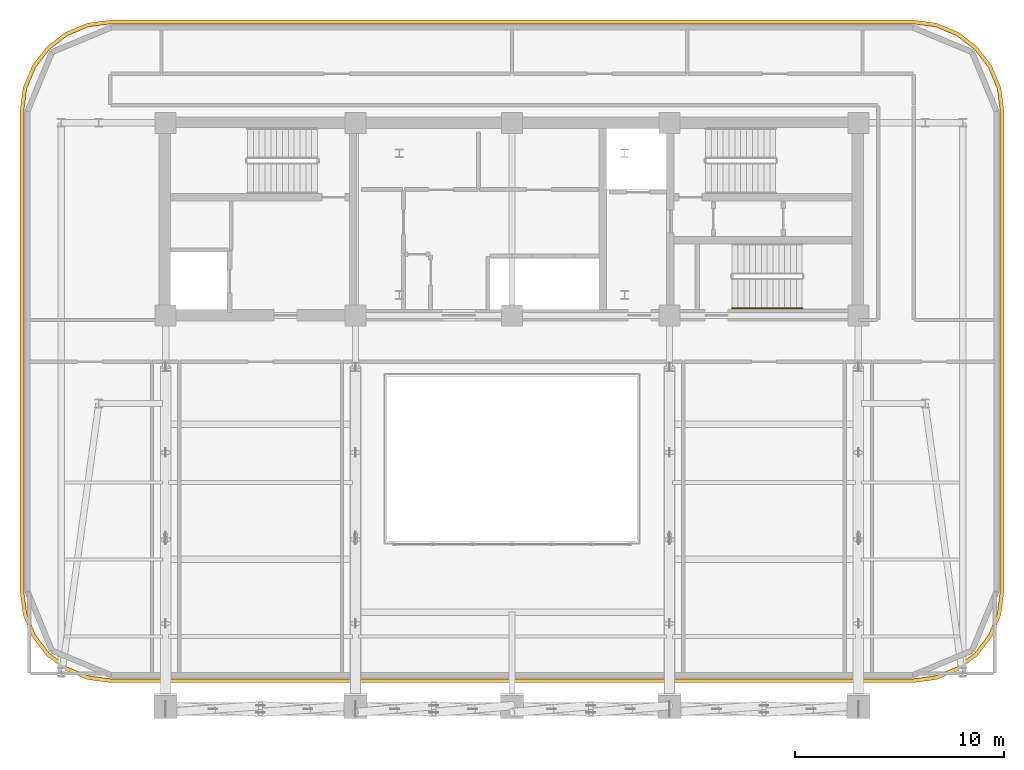
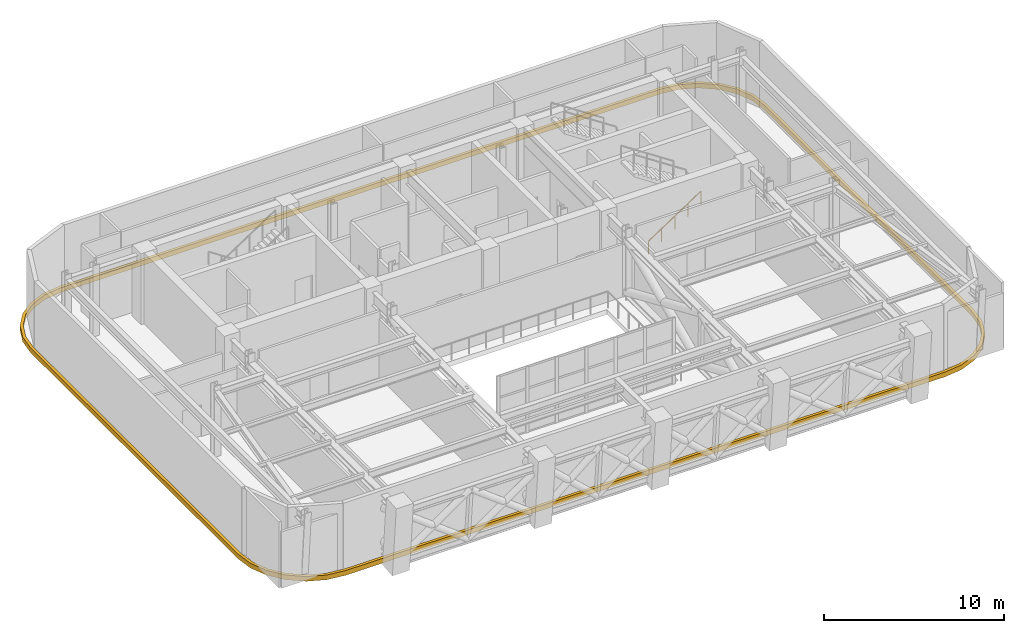
# One storey, part 11 of 12: 1 covering, 1 railing.
"""IFC4 building model written with IfcOpenShell, lengths in metres."""

from ifc_helpers import new_model, si_unit, direction, frame, origin, origin_2d, place, context, subcontext, project, spatial, polyline, rectangle, outline, extrude, material, type_object, element, save


model = new_model("IFC4")

# Units and contexts
model_context = context("Model", 3, precision=1e-05, world=origin(), true_north=direction((0.0, 1.0)))
body_context = subcontext(model_context, "Body", "Model", "MODEL_VIEW")
ifc_project = project(units=[si_unit("LENGTHUNIT", "METRE"), si_unit("AREAUNIT", "SQUARE_METRE"), si_unit("VOLUMEUNIT", "CUBIC_METRE"), si_unit("PLANEANGLEUNIT", "RADIAN"), si_unit("MASSUNIT", "GRAM", prefix="KILO")], contexts=[model_context])

# Site, building, storey
site_placement = place(None, origin())
site = spatial("IfcSite", under=ifc_project, at=site_placement, CompositionType="ELEMENT")
building_placement = place(site_placement, origin())
building = spatial("IfcBuilding", under=site, at=building_placement, Name="Zarnavel Station Tower", CompositionType="ELEMENT")
storey_placement = place(building_placement, frame((0.0, 0.0, 188.39990234375)))
storey = spatial("IfcBuildingStorey", under=building, at=storey_placement, Name="L51", CompositionType="ELEMENT", Elevation=188.39990234375)

# Covering
ifc_material_1 = material(Name="Precast concrete C45/55 (Pale Travertine Slab Band)", Category="masonry")
covering_type = type_object("IfcCoveringType", Name="COV_TRAVERTINE_BAND", PredefinedType="CLADDING", material=ifc_material_1)
covering_placement = place(storey_placement, frame((0.0, 0.0, -0.260009765625)))
element("IfcCovering", 1, at=covering_placement, inside=storey, type_object=covering_type, Name="L51 Pale Travertine Slab-Edge Band", PredefinedType="CLADDING", context=body_context, shape_type="SweptSolid", body=[
    extrude(outline(polyline([(48.0, 10.219970703125), (49.133544921875, 10.369140625), (50.18994140625, 10.806884765625), (51.09716796875, 11.5029296875), (51.793212890625, 12.409912109375), (52.230712890625, 13.46630859375), (52.3798828125, 14.60009765625), (52.3798828125, 37.60009765625), (52.230712890625, 38.733642578125), (51.793212890625, 39.7900390625), (51.09716796875, 40.697021484375), (50.18994140625, 41.393310546875), (49.133544921875, 41.830810546875), (48.0, 41.97998046875), (9.60009765625, 41.97998046875), (8.46630859375, 41.830810546875), (7.409912109375, 41.393310546875), (6.5029296875, 40.697021484375), (5.806884765625, 39.7900390625), (5.369140625, 38.733642578125), (5.219970703125, 37.60009765625), (5.219970703125, 14.60009765625), (5.369140625, 13.46630859375), (5.806884765625, 12.409912109375), (6.5029296875, 11.5029296875), (7.409912109375, 10.806884765625), (8.46630859375, 10.369140625), (9.60009765625, 10.219970703125), (48.0, 10.219970703125)]), holes=[polyline([(48.0, 10.39990234375), (49.0869140625, 10.543212890625), (50.10009765625, 10.962646484375), (50.9697265625, 11.630126953125), (51.63720703125, 12.5), (52.056884765625, 13.512939453125), (52.199951171875, 14.60009765625), (52.199951171875, 37.60009765625), (52.056884765625, 38.68701171875), (51.63720703125, 39.699951171875), (50.9697265625, 40.56982421875), (50.10009765625, 41.2373046875), (49.0869140625, 41.656982421875), (48.0, 41.800048828125), (9.60009765625, 41.800048828125), (8.512939453125, 41.656982421875), (7.5, 41.2373046875), (6.630126953125, 40.56982421875), (5.962646484375, 39.699951171875), (5.543212890625, 38.68701171875), (5.39990234375, 37.60009765625), (5.39990234375, 14.60009765625), (5.543212890625, 13.512939453125), (5.962646484375, 12.5), (6.630126953125, 11.630126953125), (7.5, 10.962646484375), (8.512939453125, 10.543212890625), (9.60009765625, 10.39990234375), (48.0, 10.39990234375)])]), origin(), (0.0, 0.0, 1.0), 0.320068359375),
])

# Railing
ifc_material_2 = material(Name="Brushed Stainless Steel S355J2 Handrail", Category="steel")
railing_type = type_object("IfcRailingType", Name="HR_STAIR_900", PredefinedType="HANDRAIL", material=ifc_material_2)
railing_placement = place(storey_placement, frame((39.35009765625, 28.169921875, 0.184814453125)))
element("IfcRailing", 2, at=railing_placement, inside=storey, type_object=railing_type, Name="L51 ST3 stair handrail 1", PredefinedType="HANDRAIL", context=body_context, shape_type="SweptSolid", body=[
    extrude(rectangle(XDim=0.048095703125, YDim=0.048095703125, at=origin_2d()), frame((0.001708984375, 0.0, 0.876953125), z_axis=(0.834858096282, 0.0, 0.550465220583), x_axis=(0.0, 1.0, 0.0)), (0.0, 0.0, 1.0), 4.0205078125),
    extrude(rectangle(XDim=0.0419921875, YDim=0.0419921875, at=origin_2d()), origin(), (0.0, 0.0, 1.0), 0.851806640625),
    extrude(rectangle(XDim=0.0419921875, YDim=0.0419921875, at=origin_2d()), frame((0.83984375, 0.0, 0.5537109375)), (0.0, 0.0, 1.0), 0.851806640625),
    extrude(rectangle(XDim=0.0419921875, YDim=0.0419921875, at=origin_2d()), frame((1.679931640625, 0.0, 1.107666015625)), (0.0, 0.0, 1.0), 0.851806640625),
    extrude(rectangle(XDim=0.0419921875, YDim=0.0419921875, at=origin_2d()), frame((2.52001953125, 0.0, 1.66162109375)), (0.0, 0.0, 1.0), 0.851806640625),
    extrude(rectangle(XDim=0.0419921875, YDim=0.0419921875, at=origin_2d()), frame((3.35986328125, 0.0, 2.21533203125)), (0.0, 0.0, 1.0), 0.851806640625),
])

save(model, "model.ifc")
